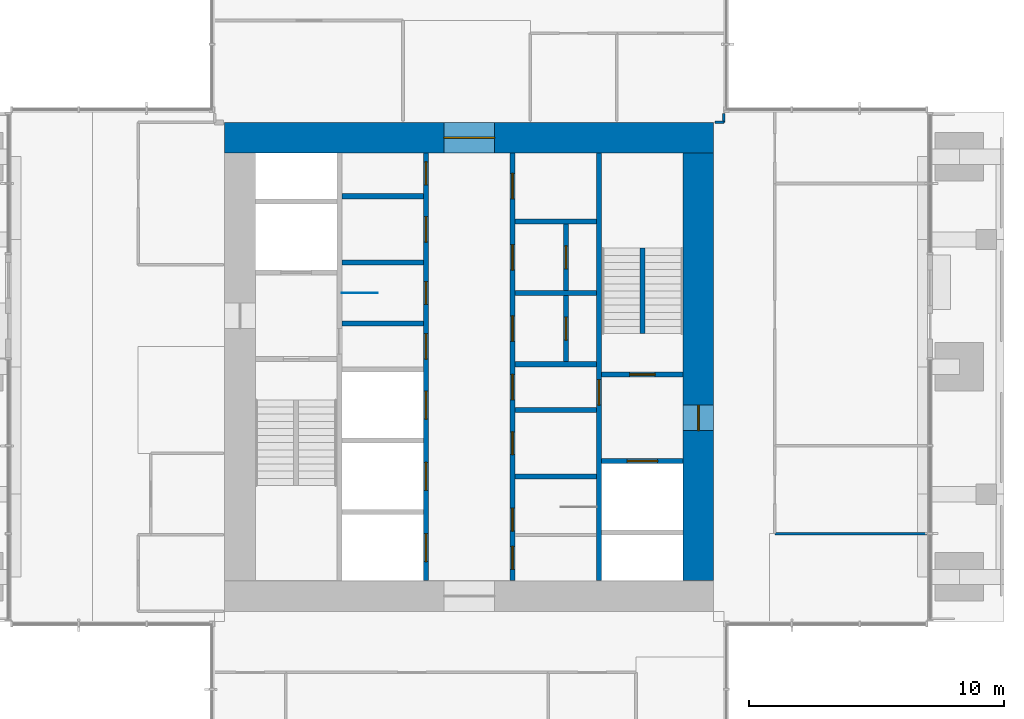
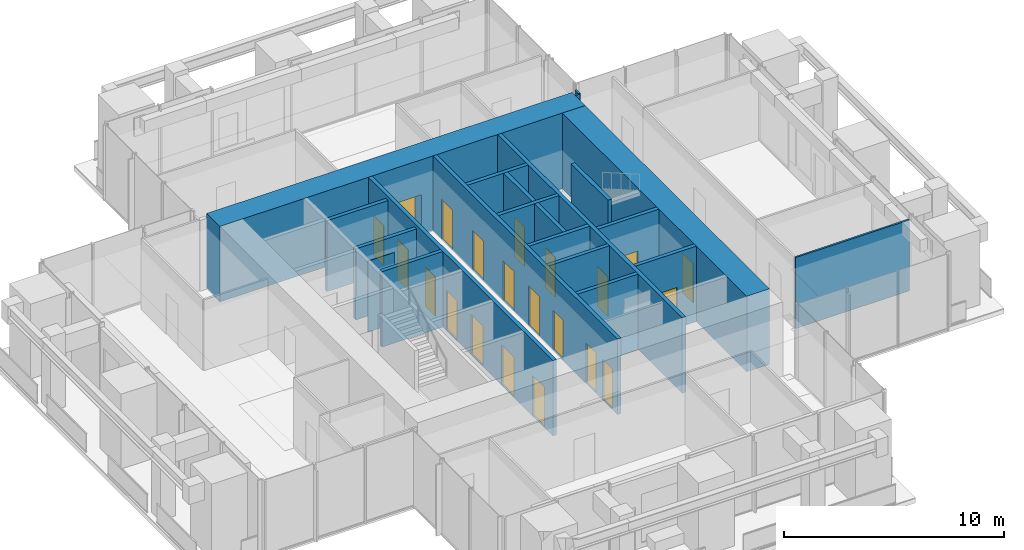
# One storey, part 8 of 12: 22 walls, 21 doors, 21 openings.
"""IFC4 building model written with IfcOpenShell, lengths in metres."""

from ifc_helpers import new_model, si_unit, direction, frame, frame_2d, origin, place, context, subcontext, project, spatial, rectangle, extrude, material, layer, layer_set, type_object, element, fill, save


model = new_model("IFC4")

# Units and contexts
model_context = context("Model", 3, precision=1e-05, world=origin(), true_north=direction((0.0, 1.0)))
body_context = subcontext(model_context, "Body", "Model", "MODEL_VIEW")
ifc_project = project(units=[si_unit("LENGTHUNIT", "METRE"), si_unit("AREAUNIT", "SQUARE_METRE"), si_unit("VOLUMEUNIT", "CUBIC_METRE"), si_unit("PLANEANGLEUNIT", "RADIAN"), si_unit("MASSUNIT", "GRAM", prefix="KILO")], contexts=[model_context])

# Site, building, storey
site_placement = place(None, origin())
site = spatial("IfcSite", under=ifc_project, at=site_placement, CompositionType="ELEMENT")
building_placement = place(site_placement, origin())
building = spatial("IfcBuilding", under=site, at=building_placement, Name="Svetlomir Tower", CompositionType="ELEMENT")
storey_placement = place(building_placement, frame((0.0, 0.0, 248.199951171875)))
storey = spatial("IfcBuildingStorey", under=building, at=storey_placement, Name="L59", CompositionType="ELEMENT", Elevation=248.199951171875)

# Walls
ifc_material_1 = material(Name="Gypsum board on twin steel studs", Category="steel")
ifc_layer_1 = layer(ifc_material_1, 0.199951171875)
ifc_layer_set_1 = layer_set([ifc_layer_1], Name="Gypsum board on twin steel studs")
wall_type_1 = type_object("IfcWallType", Name="ACOUSTIC PARTITION 200", PredefinedType="PARTITIONING", material=ifc_layer_set_1)
for number, where, z_axis, x_axis, name in (
    (1, (16.0, 25.10009765625, 0.0), (0.0, 0.0, 1.0), (1.0, 0.0, 0.0), "Core cell partition 16-19.2/25.1 L59"),
    (2, (16.0, 27.699951171875, 0.0), (0.0, 0.0, 1.0), (1.0, 0.0, 0.0), "Core cell partition 16-19.2/27.7 L59"),
):
    element("IfcWall", number, at=place(storey_placement, frame(where, z_axis=z_axis, x_axis=x_axis)), inside=storey, type_object=wall_type_1, Name=name, PredefinedType="PARTITIONING", context=body_context, shape_type="SweptSolid", body=[
        extrude(rectangle(XDim=3.199951171875, YDim=0.199951171875, at=frame_2d((1.60009765625, 0.0))), origin(), (0.0, 0.0, 1.0), 3.949951171875),
    ])

# Wall, openings, doors
ifc_material_2 = material(Name="Concrete C60/75", Category="concrete")
ifc_layer_2 = layer(ifc_material_2, 0.199951171875)
ifc_layer_set_2 = layer_set([ifc_layer_2], Name="Concrete C60/75")
wall_type_2 = type_object("IfcWallType", Name="CORE INNER WALL 200", PredefinedType="SHEAR", material=ifc_layer_set_2)
wall_1_placement = place(storey_placement, frame((19.300048828125, 12.60009765625, -0.050048828125), z_axis=(0.0, 0.0, 1.0), x_axis=(0.0, 1.0, 0.0)))
wall_1 = element("IfcWall", 3, at=wall_1_placement, inside=storey, type_object=wall_type_2, Name="Core inner wall 19.3 L59", PredefinedType="SHEAR", context=body_context, shape_type="SweptSolid", body=[
    extrude(rectangle(XDim=16.7998046875, YDim=0.199951171875, at=frame_2d((8.39990234375, 0.0))), origin(), (0.0, 0.0, 1.0), 4.2001953125),
])
opening_1_placement = place(wall_1_placement, frame((8.699951171875, 0.0, 0.050048828125)))
opening_1 = element("IfcOpeningElement", 4, at=opening_1_placement, cuts=wall_1, Name="Opening DC", PredefinedType="OPENING", context=body_context, shape_type="SweptSolid", body=[
    extrude(rectangle(XDim=1.0, YDim=2.199951171875, at=frame_2d((0.5, 1.10009765625))), frame((0.0, 0.10986328125, 0.0), z_axis=(0.0, -1.0, 0.0), x_axis=(1.0, 0.0, 0.0)), (0.0, 0.0, 1.0), 0.219970703125),
])
opening_2_placement = place(wall_1_placement, frame((10.85009765625, 0.0, 0.050048828125)))
opening_2 = element("IfcOpeningElement", 5, at=opening_2_placement, cuts=wall_1, Name="Opening DW", PredefinedType="OPENING", context=body_context, shape_type="SweptSolid", body=[
    extrude(rectangle(XDim=0.89990234375, YDim=2.199951171875, at=frame_2d((0.449951171875, 1.10009765625))), frame((0.0, 0.10986328125, 0.0), z_axis=(0.0, -1.0, 0.0), x_axis=(1.0, 0.0, 0.0)), (0.0, 0.0, 1.0), 0.219970703125),
])
opening_3_placement = place(wall_1_placement, frame((13.300048828125, 0.0, 0.050048828125)))
opening_3 = element("IfcOpeningElement", 6, at=opening_3_placement, cuts=wall_1, Name="Opening DC", PredefinedType="OPENING", context=body_context, shape_type="SweptSolid", body=[
    extrude(rectangle(XDim=1.0, YDim=2.199951171875, at=frame_2d((0.5, 1.10009765625))), frame((0.0, 0.10986328125, 0.0), z_axis=(0.0, -1.0, 0.0), x_axis=(1.0, 0.0, 0.0)), (0.0, 0.0, 1.0), 0.219970703125),
])
opening_4_placement = place(wall_1_placement, frame((15.550048828125, 0.0, 0.050048828125)))
opening_4 = element("IfcOpeningElement", 7, at=opening_4_placement, cuts=wall_1, Name="Opening DW", PredefinedType="OPENING", context=body_context, shape_type="SweptSolid", body=[
    extrude(rectangle(XDim=0.89990234375, YDim=2.199951171875, at=frame_2d((0.449951171875, 1.10009765625))), frame((0.0, 0.10986328125, 0.0), z_axis=(0.0, -1.0, 0.0), x_axis=(1.0, 0.0, 0.0)), (0.0, 0.0, 1.0), 0.219970703125),
])
opening_5_placement = place(wall_1_placement, frame((0.75, 0.0, 0.050048828125)))
opening_5 = element("IfcOpeningElement", 8, at=opening_5_placement, cuts=wall_1, Name="Opening LD", PredefinedType="OPENING", context=body_context, shape_type="SweptSolid", body=[
    extrude(rectangle(XDim=1.10009765625, YDim=2.199951171875, at=frame_2d((0.550048828125, 1.10009765625))), frame((0.0, 0.10986328125, 0.0), z_axis=(0.0, -1.0, 0.0), x_axis=(1.0, 0.0, 0.0)), (0.0, 0.0, 1.0), 0.219970703125),
])
opening_6_placement = place(wall_1_placement, frame((3.550048828125, 0.0, 0.050048828125)))
opening_6 = element("IfcOpeningElement", 9, at=opening_6_placement, cuts=wall_1, Name="Opening LD", PredefinedType="OPENING", context=body_context, shape_type="SweptSolid", body=[
    extrude(rectangle(XDim=1.10009765625, YDim=2.199951171875, at=frame_2d((0.550048828125, 1.10009765625))), frame((0.0, 0.10986328125, 0.0), z_axis=(0.0, -1.0, 0.0), x_axis=(1.0, 0.0, 0.0)), (0.0, 0.0, 1.0), 0.219970703125),
])
opening_7_placement = place(wall_1_placement, frame((6.35009765625, 0.0, 0.050048828125)))
opening_7 = element("IfcOpeningElement", 10, at=opening_7_placement, cuts=wall_1, Name="Opening LD", PredefinedType="OPENING", context=body_context, shape_type="SweptSolid", body=[
    extrude(rectangle(XDim=1.10009765625, YDim=2.199951171875, at=frame_2d((0.550048828125, 1.10009765625))), frame((0.0, 0.10986328125, 0.0), z_axis=(0.0, -1.0, 0.0), x_axis=(1.0, 0.0, 0.0)), (0.0, 0.0, 1.0), 0.219970703125),
])
ifc_material_3 = material(Name="Timber fire door", Category="wood")
door_type_1 = type_object("IfcDoorType", Name="DOOR DC 1000x2200", OperationType="SINGLE_SWING_LEFT", PredefinedType="DOOR", material=ifc_material_3)
door_1_placement = place(opening_1_placement, origin())
door_1 = element("IfcDoor", 11, at=door_1_placement, inside=storey, type_object=door_type_1, Name="Core corridor west lobby door L59", OperationType="SINGLE_SWING_RIGHT", OverallHeight=2.199951171875, OverallWidth=1.0, PredefinedType="DOOR", context=body_context, shape_type="SweptSolid", body=[
    extrude(rectangle(XDim=1.0, YDim=2.199951171875, at=frame_2d((0.5, 1.10009765625))), frame((0.0, 0.02490234375, 0.0), z_axis=(0.0, -1.0, 0.0), x_axis=(1.0, 0.0, 0.0)), (0.0, 0.0, 1.0), 0.050048828125),
])
fill(opening_1, door_1)
door_2_placement = place(opening_3_placement, origin())
door_2 = element("IfcDoor", 12, at=door_2_placement, inside=storey, type_object=door_type_1, Name="Accessible WC door L59", OperationType="SINGLE_SWING_LEFT", OverallHeight=2.199951171875, OverallWidth=1.0, PredefinedType="DOOR", context=body_context, shape_type="SweptSolid", body=[
    extrude(rectangle(XDim=1.0, YDim=2.199951171875, at=frame_2d((0.5, 1.10009765625))), frame((0.0, 0.02490234375, 0.0), z_axis=(0.0, -1.0, 0.0), x_axis=(1.0, 0.0, 0.0)), (0.0, 0.0, 1.0), 0.050048828125),
])
fill(opening_3, door_2)
ifc_material_4 = material(Name="Timber fire door", Category="wood")
door_type_2 = type_object("IfcDoorType", Name="DOOR DW 900x2200", OperationType="SINGLE_SWING_LEFT", PredefinedType="DOOR", material=ifc_material_4)
door_3_placement = place(opening_2_placement, origin())
door_3 = element("IfcDoor", 13, at=door_3_placement, inside=storey, type_object=door_type_2, Name="Female WC door L59", OperationType="SINGLE_SWING_RIGHT", OverallHeight=2.199951171875, OverallWidth=0.89990234375, PredefinedType="DOOR", context=body_context, shape_type="SweptSolid", body=[
    extrude(rectangle(XDim=0.89990234375, YDim=2.199951171875, at=frame_2d((0.449951171875, 1.10009765625))), frame((0.0, 0.02490234375, 0.0), z_axis=(0.0, -1.0, 0.0), x_axis=(1.0, 0.0, 0.0)), (0.0, 0.0, 1.0), 0.050048828125),
])
fill(opening_2, door_3)
door_4_placement = place(opening_4_placement, origin())
door_4 = element("IfcDoor", 14, at=door_4_placement, inside=storey, type_object=door_type_2, Name="IT floor distributor room door L59", OperationType="SINGLE_SWING_RIGHT", OverallHeight=2.199951171875, OverallWidth=0.89990234375, PredefinedType="DOOR", context=body_context, shape_type="SweptSolid", body=[
    extrude(rectangle(XDim=0.89990234375, YDim=2.199951171875, at=frame_2d((0.449951171875, 1.10009765625))), frame((0.0, 0.02490234375, 0.0), z_axis=(0.0, -1.0, 0.0), x_axis=(1.0, 0.0, 0.0)), (0.0, 0.0, 1.0), 0.050048828125),
])
fill(opening_4, door_4)
ifc_material_5 = material(Name="Stainless steel landing door", Category="steel")
door_type_3 = type_object("IfcDoorType", Name="LIFT LANDING DOOR LD 1100x2200", OperationType="DOUBLE_DOOR_SLIDING", PredefinedType="DOOR", material=ifc_material_5)
door_5_placement = place(opening_5_placement, origin())
door_5 = element("IfcDoor", 15, at=door_5_placement, inside=storey, type_object=door_type_3, Name="Landing door lift LD1 L59", OperationType="DOUBLE_DOOR_SLIDING", OverallHeight=2.199951171875, OverallWidth=1.10009765625, PredefinedType="DOOR", context=body_context, shape_type="SweptSolid", body=[
    extrude(rectangle(XDim=1.10009765625, YDim=2.199951171875, at=frame_2d((0.550048828125, 1.10009765625))), frame((0.0, 0.02490234375, 0.0), z_axis=(0.0, -1.0, 0.0), x_axis=(1.0, 0.0, 0.0)), (0.0, 0.0, 1.0), 0.050048828125),
])
fill(opening_5, door_5)
door_6_placement = place(opening_6_placement, origin())
door_6 = element("IfcDoor", 16, at=door_6_placement, inside=storey, type_object=door_type_3, Name="Landing door lift LD2 L59", OperationType="DOUBLE_DOOR_SLIDING", OverallHeight=2.199951171875, OverallWidth=1.10009765625, PredefinedType="DOOR", context=body_context, shape_type="SweptSolid", body=[
    extrude(rectangle(XDim=1.10009765625, YDim=2.199951171875, at=frame_2d((0.550048828125, 1.10009765625))), frame((0.0, 0.02490234375, 0.0), z_axis=(0.0, -1.0, 0.0), x_axis=(1.0, 0.0, 0.0)), (0.0, 0.0, 1.0), 0.050048828125),
])
fill(opening_6, door_6)
door_7_placement = place(opening_7_placement, origin())
door_7 = element("IfcDoor", 17, at=door_7_placement, inside=storey, type_object=door_type_3, Name="Landing door lift LD3 L59", OperationType="DOUBLE_DOOR_SLIDING", OverallHeight=2.199951171875, OverallWidth=1.10009765625, PredefinedType="DOOR", context=body_context, shape_type="SweptSolid", body=[
    extrude(rectangle(XDim=1.10009765625, YDim=2.199951171875, at=frame_2d((0.550048828125, 1.10009765625))), frame((0.0, 0.02490234375, 0.0), z_axis=(0.0, -1.0, 0.0), x_axis=(1.0, 0.0, 0.0)), (0.0, 0.0, 1.0), 0.050048828125),
])
fill(opening_7, door_7)

wall_2_placement = place(storey_placement, frame((22.699951171875, 12.60009765625, -0.050048828125), z_axis=(0.0, 0.0, 1.0), x_axis=(0.0, 1.0, 0.0)))
wall_2 = element("IfcWall", 18, at=wall_2_placement, inside=storey, type_object=wall_type_2, Name="Core inner wall 22.7 L59", PredefinedType="SHEAR", context=body_context, shape_type="SweptSolid", body=[
    extrude(rectangle(XDim=16.7998046875, YDim=0.199951171875, at=frame_2d((8.39990234375, 0.0))), origin(), (0.0, 0.0, 1.0), 4.2001953125),
])
opening_8_placement = place(wall_2_placement, frame((0.449951171875, 0.0, 0.050048828125)))
opening_8 = element("IfcOpeningElement", 19, at=opening_8_placement, cuts=wall_2, Name="Opening DW", PredefinedType="OPENING", context=body_context, shape_type="SweptSolid", body=[
    extrude(rectangle(XDim=0.89990234375, YDim=2.199951171875, at=frame_2d((0.449951171875, 1.10009765625))), frame((0.0, 0.10986328125, 0.0), z_axis=(0.0, -1.0, 0.0), x_axis=(1.0, 0.0, 0.0)), (0.0, 0.0, 1.0), 0.219970703125),
])
opening_9_placement = place(wall_2_placement, frame((7.10009765625, 0.0, 0.050048828125)))
opening_9 = element("IfcOpeningElement", 20, at=opening_9_placement, cuts=wall_2, Name="Opening DC", PredefinedType="OPENING", context=body_context, shape_type="SweptSolid", body=[
    extrude(rectangle(XDim=1.0, YDim=2.199951171875, at=frame_2d((0.5, 1.10009765625))), frame((0.0, 0.10986328125, 0.0), z_axis=(0.0, -1.0, 0.0), x_axis=(1.0, 0.0, 0.0)), (0.0, 0.0, 1.0), 0.219970703125),
])
opening_10_placement = place(wall_2_placement, frame((1.949951171875, 0.0, 0.050048828125)))
opening_10 = element("IfcOpeningElement", 21, at=opening_10_placement, cuts=wall_2, Name="Opening DW", PredefinedType="OPENING", context=body_context, shape_type="SweptSolid", body=[
    extrude(rectangle(XDim=0.89990234375, YDim=2.199951171875, at=frame_2d((0.449951171875, 1.10009765625))), frame((0.0, 0.10986328125, 0.0), z_axis=(0.0, -1.0, 0.0), x_axis=(1.0, 0.0, 0.0)), (0.0, 0.0, 1.0), 0.219970703125),
])
opening_11_placement = place(wall_2_placement, frame((4.949951171875, 0.0, 0.050048828125)))
opening_11 = element("IfcOpeningElement", 22, at=opening_11_placement, cuts=wall_2, Name="Opening DW", PredefinedType="OPENING", context=body_context, shape_type="SweptSolid", body=[
    extrude(rectangle(XDim=0.89990234375, YDim=2.199951171875, at=frame_2d((0.449951171875, 1.10009765625))), frame((0.0, 0.10986328125, 0.0), z_axis=(0.0, -1.0, 0.0), x_axis=(1.0, 0.0, 0.0)), (0.0, 0.0, 1.0), 0.219970703125),
])
opening_12_placement = place(wall_2_placement, frame((9.39990234375, 0.0, 0.050048828125)))
opening_12 = element("IfcOpeningElement", 23, at=opening_12_placement, cuts=wall_2, Name="Opening DC", PredefinedType="OPENING", context=body_context, shape_type="SweptSolid", body=[
    extrude(rectangle(XDim=1.0, YDim=2.199951171875, at=frame_2d((0.5, 1.10009765625))), frame((0.0, 0.10986328125, 0.0), z_axis=(0.0, -1.0, 0.0), x_axis=(1.0, 0.0, 0.0)), (0.0, 0.0, 1.0), 0.219970703125),
])
opening_13_placement = place(wall_2_placement, frame((12.199951171875, 0.0, 0.050048828125)))
opening_13 = element("IfcOpeningElement", 24, at=opening_13_placement, cuts=wall_2, Name="Opening DC", PredefinedType="OPENING", context=body_context, shape_type="SweptSolid", body=[
    extrude(rectangle(XDim=1.0, YDim=2.199951171875, at=frame_2d((0.5, 1.10009765625))), frame((0.0, 0.10986328125, 0.0), z_axis=(0.0, -1.0, 0.0), x_axis=(1.0, 0.0, 0.0)), (0.0, 0.0, 1.0), 0.219970703125),
])
opening_14_placement = place(wall_2_placement, frame((15.0, 0.0, 0.050048828125)))
opening_14 = element("IfcOpeningElement", 25, at=opening_14_placement, cuts=wall_2, Name="Opening DC", PredefinedType="OPENING", context=body_context, shape_type="SweptSolid", body=[
    extrude(rectangle(XDim=1.0, YDim=2.199951171875, at=frame_2d((0.5, 1.10009765625))), frame((0.0, 0.10986328125, 0.0), z_axis=(0.0, -1.0, 0.0), x_axis=(1.0, 0.0, 0.0)), (0.0, 0.0, 1.0), 0.219970703125),
])
door_8_placement = place(opening_9_placement, origin())
door_8 = element("IfcDoor", 26, at=door_8_placement, inside=storey, type_object=door_type_1, Name="Core corridor east lobby door L59", OperationType="SINGLE_SWING_LEFT", OverallHeight=2.199951171875, OverallWidth=1.0, PredefinedType="DOOR", context=body_context, shape_type="SweptSolid", body=[
    extrude(rectangle(XDim=1.0, YDim=2.199951171875, at=frame_2d((0.5, 1.10009765625))), frame((0.0, 0.02490234375, 0.0), z_axis=(0.0, -1.0, 0.0), x_axis=(1.0, 0.0, 0.0)), (0.0, 0.0, 1.0), 0.050048828125),
])
fill(opening_9, door_8)
door_9_placement = place(opening_12_placement, origin())
door_9 = element("IfcDoor", 27, at=door_9_placement, inside=storey, type_object=door_type_1, Name="Converted shaft BANK-E1 room door L59", OperationType="SINGLE_SWING_LEFT", OverallHeight=2.199951171875, OverallWidth=1.0, PredefinedType="DOOR", context=body_context, shape_type="SweptSolid", body=[
    extrude(rectangle(XDim=1.0, YDim=2.199951171875, at=frame_2d((0.5, 1.10009765625))), frame((0.0, 0.02490234375, 0.0), z_axis=(0.0, -1.0, 0.0), x_axis=(1.0, 0.0, 0.0)), (0.0, 0.0, 1.0), 0.050048828125),
])
fill(opening_12, door_9)
door_10_placement = place(opening_13_placement, origin())
door_10 = element("IfcDoor", 28, at=door_10_placement, inside=storey, type_object=door_type_1, Name="Converted shaft BANK-E2 room door L59", OperationType="SINGLE_SWING_LEFT", OverallHeight=2.199951171875, OverallWidth=1.0, PredefinedType="DOOR", context=body_context, shape_type="SweptSolid", body=[
    extrude(rectangle(XDim=1.0, YDim=2.199951171875, at=frame_2d((0.5, 1.10009765625))), frame((0.0, 0.02490234375, 0.0), z_axis=(0.0, -1.0, 0.0), x_axis=(1.0, 0.0, 0.0)), (0.0, 0.0, 1.0), 0.050048828125),
])
fill(opening_13, door_10)
door_11_placement = place(opening_14_placement, origin())
door_11 = element("IfcDoor", 29, at=door_11_placement, inside=storey, type_object=door_type_1, Name="Converted shaft BANK-E3 room door L59", OperationType="SINGLE_SWING_LEFT", OverallHeight=2.199951171875, OverallWidth=1.0, PredefinedType="DOOR", context=body_context, shape_type="SweptSolid", body=[
    extrude(rectangle(XDim=1.0, YDim=2.199951171875, at=frame_2d((0.5, 1.10009765625))), frame((0.0, 0.02490234375, 0.0), z_axis=(0.0, -1.0, 0.0), x_axis=(1.0, 0.0, 0.0)), (0.0, 0.0, 1.0), 0.050048828125),
])
fill(opening_14, door_11)
door_12_placement = place(opening_8_placement, origin())
door_12 = element("IfcDoor", 30, at=door_12_placement, inside=storey, type_object=door_type_2, Name="Floor store door L59", OperationType="SINGLE_SWING_LEFT", OverallHeight=2.199951171875, OverallWidth=0.89990234375, PredefinedType="DOOR", context=body_context, shape_type="SweptSolid", body=[
    extrude(rectangle(XDim=0.89990234375, YDim=2.199951171875, at=frame_2d((0.449951171875, 1.10009765625))), frame((0.0, 0.02490234375, 0.0), z_axis=(0.0, -1.0, 0.0), x_axis=(1.0, 0.0, 0.0)), (0.0, 0.0, 1.0), 0.050048828125),
])
fill(opening_8, door_12)
door_13_placement = place(opening_10_placement, origin())
door_13 = element("IfcDoor", 31, at=door_13_placement, inside=storey, type_object=door_type_2, Name="Male WC door L59", OperationType="SINGLE_SWING_LEFT", OverallHeight=2.199951171875, OverallWidth=0.89990234375, PredefinedType="DOOR", context=body_context, shape_type="SweptSolid", body=[
    extrude(rectangle(XDim=0.89990234375, YDim=2.199951171875, at=frame_2d((0.449951171875, 1.10009765625))), frame((0.0, 0.02490234375, 0.0), z_axis=(0.0, -1.0, 0.0), x_axis=(1.0, 0.0, 0.0)), (0.0, 0.0, 1.0), 0.050048828125),
])
fill(opening_10, door_13)
door_14_placement = place(opening_11_placement, origin())
door_14 = element("IfcDoor", 32, at=door_14_placement, inside=storey, type_object=door_type_2, Name="Comms room door L59", OperationType="SINGLE_SWING_RIGHT", OverallHeight=2.199951171875, OverallWidth=0.89990234375, PredefinedType="DOOR", context=body_context, shape_type="SweptSolid", body=[
    extrude(rectangle(XDim=0.89990234375, YDim=2.199951171875, at=frame_2d((0.449951171875, 1.10009765625))), frame((0.0, 0.02490234375, 0.0), z_axis=(0.0, -1.0, 0.0), x_axis=(1.0, 0.0, 0.0)), (0.0, 0.0, 1.0), 0.050048828125),
])
fill(opening_11, door_14)

# Wall, opening, door
wall_3_placement = place(storey_placement, frame((26.10009765625, 12.60009765625, -0.050048828125), z_axis=(0.0, 0.0, 1.0), x_axis=(0.0, 1.0, 0.0)))
wall_3 = element("IfcWall", 33, at=wall_3_placement, inside=storey, type_object=wall_type_2, Name="Core inner wall 26.1 L59", PredefinedType="SHEAR", context=body_context, shape_type="SweptSolid", body=[
    extrude(rectangle(XDim=16.7998046875, YDim=0.199951171875, at=frame_2d((8.39990234375, 0.0))), origin(), (0.0, 0.0, 1.0), 4.2001953125),
])
opening_15_placement = place(wall_3_placement, frame((6.89990234375, 0.0, 0.050048828125)))
opening_15 = element("IfcOpeningElement", 34, at=opening_15_placement, cuts=wall_3, Name="Opening DF", PredefinedType="OPENING", context=body_context, shape_type="SweptSolid", body=[
    extrude(rectangle(XDim=1.0, YDim=2.199951171875, at=frame_2d((0.5, 1.10009765625))), frame((0.0, 0.10986328125, 0.0), z_axis=(0.0, -1.0, 0.0), x_axis=(1.0, 0.0, 0.0)), (0.0, 0.0, 1.0), 0.219970703125),
])
ifc_material_6 = material(Name="Steel fire door", Category="steel")
door_type_4 = type_object("IfcDoorType", Name="DOOR DF 1000x2200", OperationType="SINGLE_SWING_LEFT", PredefinedType="DOOR", material=ifc_material_6)
door_15_placement = place(opening_15_placement, origin())
door_15 = element("IfcDoor", 35, at=door_15_placement, inside=storey, type_object=door_type_4, Name="Core corridor east door L59", OperationType="SINGLE_SWING_LEFT", OverallHeight=2.199951171875, OverallWidth=1.0, PredefinedType="DOOR", context=body_context, shape_type="SweptSolid", body=[
    extrude(rectangle(XDim=1.0, YDim=2.199951171875, at=frame_2d((0.5, 1.10009765625))), frame((0.0, 0.02490234375, 0.0), z_axis=(0.0, -1.0, 0.0), x_axis=(1.0, 0.0, 0.0)), (0.0, 0.0, 1.0), 0.050048828125),
])
fill(opening_15, door_15)

# Walls
for number, where, z_axis, x_axis, name in (
    (36, (16.0, 22.699951171875, -0.050048828125), (0.0, 0.0, 1.0), (1.0, 0.0, 0.0), "Core inner wall 16-19.2/22.7 L59"),
    (37, (22.800048828125, 16.699951171875, -0.050048828125), (0.0, 0.0, 1.0), (1.0, 0.0, 0.0), "Core inner wall 22.8-26/16.7 L59"),
    (38, (22.800048828125, 19.300048828125, -0.050048828125), (0.0, 0.0, 1.0), (1.0, 0.0, 0.0), "Core inner wall 22.8-26/19.3 L59"),
    (39, (22.800048828125, 21.10009765625, -0.050048828125), (0.0, 0.0, 1.0), (1.0, 0.0, 0.0), "Core inner wall 22.8-26/21.1 L59"),
    (40, (22.800048828125, 23.89990234375, -0.050048828125), (0.0, 0.0, 1.0), (1.0, 0.0, 0.0), "Core inner wall 22.8-26/23.9 L59"),
    (41, (22.800048828125, 26.699951171875, -0.050048828125), (0.0, 0.0, 1.0), (1.0, 0.0, 0.0), "Core inner wall 22.8-26/26.7 L59"),
):
    element("IfcWall", number, at=place(storey_placement, frame(where, z_axis=z_axis, x_axis=x_axis)), inside=storey, type_object=wall_type_2, Name=name, PredefinedType="SHEAR", context=body_context, shape_type="SweptSolid", body=[
        extrude(rectangle(XDim=3.199951171875, YDim=0.199951171875, at=frame_2d((1.60009765625, 0.0))), origin(), (0.0, 0.0, 1.0), 4.2001953125),
    ])

# Wall, opening, door
wall_4_placement = place(storey_placement, frame((26.199951171875, 17.300048828125, -0.050048828125), z_axis=(0.0, 0.0, 1.0), x_axis=(1.0, 0.0, 0.0)))
wall_4 = element("IfcWall", 42, at=wall_4_placement, inside=storey, type_object=wall_type_2, Name="Core inner wall 26.2-29.4/17.3 L59", PredefinedType="SHEAR", context=body_context, shape_type="SweptSolid", body=[
    extrude(rectangle(XDim=3.199951171875, YDim=0.199951171875, at=frame_2d((1.60009765625, 0.0))), origin(), (0.0, 0.0, 1.0), 4.2001953125),
])
opening_16_placement = place(wall_4_placement, frame((1.0, 0.0, 0.050048828125)))
opening_16 = element("IfcOpeningElement", 43, at=opening_16_placement, cuts=wall_4, Name="Opening LD3", PredefinedType="OPENING", context=body_context, shape_type="SweptSolid", body=[
    extrude(rectangle(XDim=1.199951171875, YDim=2.199951171875, at=frame_2d((0.60009765625, 1.10009765625))), frame((0.0, 0.10986328125, 0.0), z_axis=(0.0, -1.0, 0.0), x_axis=(1.0, 0.0, 0.0)), (0.0, 0.0, 1.0), 0.219970703125),
])
ifc_material_7 = material(Name="Stainless steel fire-rated landing door", Category="steel")
door_type_5 = type_object("IfcDoorType", Name="FIREFIGHTING LIFT LANDING DOOR LD3 1200x2200", OperationType="DOUBLE_DOOR_SLIDING", PredefinedType="DOOR", material=ifc_material_7)
door_16_placement = place(opening_16_placement, origin())
door_16 = element("IfcDoor", 44, at=door_16_placement, inside=storey, type_object=door_type_5, Name="Landing door lift FL2 L59", OperationType="DOUBLE_DOOR_SLIDING", OverallHeight=2.199951171875, OverallWidth=1.199951171875, PredefinedType="DOOR", context=body_context, shape_type="SweptSolid", body=[
    extrude(rectangle(XDim=1.199951171875, YDim=2.199951171875, at=frame_2d((0.60009765625, 1.10009765625))), frame((0.0, 0.02490234375, 0.0), z_axis=(0.0, -1.0, 0.0), x_axis=(1.0, 0.0, 0.0)), (0.0, 0.0, 1.0), 0.050048828125),
])
fill(opening_16, door_16)

wall_5_placement = place(storey_placement, frame((26.199951171875, 20.699951171875, -0.050048828125), z_axis=(0.0, 0.0, 1.0), x_axis=(1.0, 0.0, 0.0)))
wall_5 = element("IfcWall", 45, at=wall_5_placement, inside=storey, type_object=wall_type_2, Name="Core inner wall 26.2-29.4/20.7 L59", PredefinedType="SHEAR", context=body_context, shape_type="SweptSolid", body=[
    extrude(rectangle(XDim=3.199951171875, YDim=0.199951171875, at=frame_2d((1.60009765625, 0.0))), origin(), (0.0, 0.0, 1.0), 4.2001953125),
])
opening_17_placement = place(wall_5_placement, frame((1.10009765625, 0.0, 0.050048828125)))
opening_17 = element("IfcOpeningElement", 46, at=opening_17_placement, cuts=wall_5, Name="Opening DF", PredefinedType="OPENING", context=body_context, shape_type="SweptSolid", body=[
    extrude(rectangle(XDim=1.0, YDim=2.199951171875, at=frame_2d((0.5, 1.10009765625))), frame((0.0, 0.10986328125, 0.0), z_axis=(0.0, -1.0, 0.0), x_axis=(1.0, 0.0, 0.0)), (0.0, 0.0, 1.0), 0.219970703125),
])
door_17_placement = place(opening_17_placement, origin())
door_17 = element("IfcDoor", 47, at=door_17_placement, inside=storey, type_object=door_type_4, Name="Stair S2 door L59", OperationType="SINGLE_SWING_LEFT", OverallHeight=2.199951171875, OverallWidth=1.0, PredefinedType="DOOR", context=body_context, shape_type="SweptSolid", body=[
    extrude(rectangle(XDim=1.0, YDim=2.199951171875, at=frame_2d((0.5, 1.10009765625))), frame((0.0, 0.02490234375, 0.0), z_axis=(0.0, -1.0, 0.0), x_axis=(1.0, 0.0, 0.0)), (0.0, 0.0, 1.0), 0.050048828125),
])
fill(opening_17, door_17)

wall_6_placement = place(storey_placement, frame((24.800048828125, 21.199951171875, -0.050048828125), z_axis=(0.0, 0.0, 1.0), x_axis=(0.0, 1.0, 0.0)))
wall_6 = element("IfcWall", 48, at=wall_6_placement, inside=storey, type_object=wall_type_2, Name="Core inner wall 24.8/21.2-23.8 L59", PredefinedType="SHEAR", context=body_context, shape_type="SweptSolid", body=[
    extrude(rectangle(XDim=2.60009765625, YDim=0.199951171875, at=frame_2d((1.300048828125, 0.0))), origin(), (0.0, 0.0, 1.0), 4.2001953125),
])
opening_18_placement = place(wall_6_placement, frame((0.85009765625, 0.0, 0.050048828125)))
opening_18 = element("IfcOpeningElement", 49, at=opening_18_placement, cuts=wall_6, Name="Opening DW", PredefinedType="OPENING", context=body_context, shape_type="SweptSolid", body=[
    extrude(rectangle(XDim=0.89990234375, YDim=2.199951171875, at=frame_2d((0.449951171875, 1.10009765625))), frame((0.0, 0.10986328125, 0.0), z_axis=(0.0, -1.0, 0.0), x_axis=(1.0, 0.0, 0.0)), (0.0, 0.0, 1.0), 0.219970703125),
])
door_18_placement = place(opening_18_placement, origin())
door_18 = element("IfcDoor", 50, at=door_18_placement, inside=storey, type_object=door_type_2, Name="Converted shaft BANK-E1 back room door L59", OperationType="SINGLE_SWING_RIGHT", OverallHeight=2.199951171875, OverallWidth=0.89990234375, PredefinedType="DOOR", context=body_context, shape_type="SweptSolid", body=[
    extrude(rectangle(XDim=0.89990234375, YDim=2.199951171875, at=frame_2d((0.449951171875, 1.10009765625))), frame((0.0, 0.02490234375, 0.0), z_axis=(0.0, -1.0, 0.0), x_axis=(1.0, 0.0, 0.0)), (0.0, 0.0, 1.0), 0.050048828125),
])
fill(opening_18, door_18)

wall_7_placement = place(storey_placement, frame((24.800048828125, 24.0, -0.050048828125), z_axis=(0.0, 0.0, 1.0), x_axis=(0.0, 1.0, 0.0)))
wall_7 = element("IfcWall", 51, at=wall_7_placement, inside=storey, type_object=wall_type_2, Name="Core inner wall 24.8/24-26.6 L59", PredefinedType="SHEAR", context=body_context, shape_type="SweptSolid", body=[
    extrude(rectangle(XDim=2.60009765625, YDim=0.199951171875, at=frame_2d((1.300048828125, 0.0))), origin(), (0.0, 0.0, 1.0), 4.2001953125),
])
opening_19_placement = place(wall_7_placement, frame((0.85009765625, 0.0, 0.050048828125)))
opening_19 = element("IfcOpeningElement", 52, at=opening_19_placement, cuts=wall_7, Name="Opening DW", PredefinedType="OPENING", context=body_context, shape_type="SweptSolid", body=[
    extrude(rectangle(XDim=0.89990234375, YDim=2.199951171875, at=frame_2d((0.449951171875, 1.10009765625))), frame((0.0, 0.10986328125, 0.0), z_axis=(0.0, -1.0, 0.0), x_axis=(1.0, 0.0, 0.0)), (0.0, 0.0, 1.0), 0.219970703125),
])
door_19_placement = place(opening_19_placement, origin())
door_19 = element("IfcDoor", 53, at=door_19_placement, inside=storey, type_object=door_type_2, Name="Converted shaft BANK-E2 back room door L59", OperationType="SINGLE_SWING_RIGHT", OverallHeight=2.199951171875, OverallWidth=0.89990234375, PredefinedType="DOOR", context=body_context, shape_type="SweptSolid", body=[
    extrude(rectangle(XDim=0.89990234375, YDim=2.199951171875, at=frame_2d((0.449951171875, 1.10009765625))), frame((0.0, 0.02490234375, 0.0), z_axis=(0.0, -1.0, 0.0), x_axis=(1.0, 0.0, 0.0)), (0.0, 0.0, 1.0), 0.050048828125),
])
fill(opening_19, door_19)

ifc_material_8 = material(Name="Concrete C60/75", Category="concrete")
ifc_layer_3 = layer(ifc_material_8, 1.199951171875)
ifc_layer_set_3 = layer_set([ifc_layer_3], Name="Concrete C60/75")
wall_type_3 = type_object("IfcWallType", Name="CORE WALL 1200", PredefinedType="SHEAR", material=ifc_layer_set_3)
wall_8_placement = place(storey_placement, frame((11.39990234375, 30.0, -0.050048828125), z_axis=(0.0, 0.0, 1.0), x_axis=(1.0, 0.0, 0.0)))
wall_8 = element("IfcWall", 54, at=wall_8_placement, inside=storey, type_object=wall_type_3, Name="Core wall north L59", PredefinedType="SHEAR", context=body_context, shape_type="SweptSolid", body=[
    extrude(rectangle(XDim=19.2001953125, YDim=1.199951171875, at=frame_2d((9.60009765625, 0.0))), origin(), (0.0, 0.0, 1.0), 4.2001953125),
])
opening_20_placement = place(wall_8_placement, frame((8.60009765625, 0.0, 0.050048828125)))
opening_20 = element("IfcOpeningElement", 55, at=opening_20_placement, cuts=wall_8, Name="Opening DL", PredefinedType="OPENING", context=body_context, shape_type="SweptSolid", body=[
    extrude(rectangle(XDim=2.0, YDim=2.199951171875, at=frame_2d((1.0, 1.10009765625))), frame((0.0, 0.60986328125, 0.0), z_axis=(0.0, -1.0, 0.0), x_axis=(1.0, 0.0, 0.0)), (0.0, 0.0, 1.0), 1.219970703125),
])
ifc_material_9 = material(Name="Steel fire door", Category="steel")
door_type_6 = type_object("IfcDoorType", Name="DOOR DL 2000x2200", OperationType="DOUBLE_DOOR_SINGLE_SWING", PredefinedType="DOOR", material=ifc_material_9)
door_20_placement = place(opening_20_placement, origin())
door_20 = element("IfcDoor", 56, at=door_20_placement, inside=storey, type_object=door_type_6, Name="Lift lobby north door L59", OperationType="DOUBLE_DOOR_SINGLE_SWING", OverallHeight=2.199951171875, OverallWidth=2.0, PredefinedType="DOOR", context=body_context, shape_type="SweptSolid", body=[
    extrude(rectangle(XDim=2.0, YDim=2.199951171875, at=frame_2d((1.0, 1.10009765625))), frame((0.0, 0.02490234375, 0.0), z_axis=(0.0, -1.0, 0.0), x_axis=(1.0, 0.0, 0.0)), (0.0, 0.0, 1.0), 0.050048828125),
])
fill(opening_20, door_20)

wall_9_placement = place(storey_placement, frame((30.0, 12.60009765625, -0.050048828125), z_axis=(0.0, 0.0, 1.0), x_axis=(0.0, 1.0, 0.0)))
wall_9 = element("IfcWall", 57, at=wall_9_placement, inside=storey, type_object=wall_type_3, Name="Core wall east L59", PredefinedType="SHEAR", context=body_context, shape_type="SweptSolid", body=[
    extrude(rectangle(XDim=16.7998046875, YDim=1.199951171875, at=frame_2d((8.39990234375, 0.0))), origin(), (0.0, 0.0, 1.0), 4.2001953125),
])
opening_21_placement = place(wall_9_placement, frame((5.89990234375, 0.0, 0.050048828125)))
opening_21 = element("IfcOpeningElement", 58, at=opening_21_placement, cuts=wall_9, Name="Opening DF", PredefinedType="OPENING", context=body_context, shape_type="SweptSolid", body=[
    extrude(rectangle(XDim=1.0, YDim=2.199951171875, at=frame_2d((0.5, 1.10009765625))), frame((0.0, 0.60986328125, 0.0), z_axis=(0.0, -1.0, 0.0), x_axis=(1.0, 0.0, 0.0)), (0.0, 0.0, 1.0), 1.219970703125),
])
door_21_placement = place(opening_21_placement, origin())
door_21 = element("IfcDoor", 59, at=door_21_placement, inside=storey, type_object=door_type_4, Name="Firefighting lobby east door L59", OperationType="SINGLE_SWING_LEFT", OverallHeight=2.199951171875, OverallWidth=1.0, PredefinedType="DOOR", context=body_context, shape_type="SweptSolid", body=[
    extrude(rectangle(XDim=1.0, YDim=2.199951171875, at=frame_2d((0.5, 1.10009765625))), frame((0.0, 0.02490234375, 0.0), z_axis=(0.0, -1.0, 0.0), x_axis=(1.0, 0.0, 0.0)), (0.0, 0.0, 1.0), 0.050048828125),
])
fill(opening_21, door_21)

# Walls
ifc_material_10 = material(Name="Framed laminated glass partition", Category="glass")
ifc_layer_4 = layer(ifc_material_10, 0.10009765625)
ifc_layer_set_4 = layer_set([ifc_layer_4], Name="Framed laminated glass partition")
wall_type_4 = type_object("IfcWallType", Name="GLAZED PARTITION 100", PredefinedType="PARTITIONING", material=ifc_layer_set_4)
wall_10_placement = place(storey_placement, frame((30.64990234375, 30.60009765625, 0.0), z_axis=(0.0, 0.0, 1.0), x_axis=(1.0, 0.0, 0.0)))
element("IfcWall", 60, at=wall_10_placement, inside=storey, type_object=wall_type_4, Name="Partition L59", PredefinedType="PARTITIONING", context=body_context, shape_type="SweptSolid", body=[
    extrude(rectangle(XDim=0.35009765625, YDim=0.10009765625, at=frame_2d((0.175048828125, 0.0))), origin(), (0.0, 0.0, 1.0), 3.949951171875),
])
wall_11_placement = place(storey_placement, frame((31.0, 30.60009765625, 0.0), z_axis=(0.0, 0.0, 1.0), x_axis=(0.0, 1.0, 0.0)))
element("IfcWall", 61, at=wall_11_placement, inside=storey, type_object=wall_type_4, Name="Partition L59", PredefinedType="PARTITIONING", context=body_context, shape_type="SweptSolid", body=[
    extrude(rectangle(XDim=0.349853515625, YDim=0.10009765625, at=frame_2d((0.1748046875, 0.0))), origin(), (0.0, 0.0, 1.0), 3.949951171875),
])
wall_12_placement = place(storey_placement, frame((33.0, 14.449951171875, 0.0), z_axis=(0.0, 0.0, 1.0), x_axis=(1.0, 0.0, 0.0)))
element("IfcWall", 62, at=wall_12_placement, inside=storey, type_object=wall_type_4, Name="Partition L59", PredefinedType="PARTITIONING", context=body_context, shape_type="SweptSolid", body=[
    extrude(rectangle(XDim=6.0, YDim=0.10009765625, at=frame_2d((3.0, 0.0))), origin(), (0.0, 0.0, 1.0), 3.949951171875),
])
ifc_material_11 = material(Name="Concrete C60/75", Category="concrete")
ifc_layer_5 = layer(ifc_material_11, 0.199951171875)
ifc_layer_set_5 = layer_set([ifc_layer_5], Name="Concrete C60/75")
wall_type_5 = type_object("IfcWallType", Name="STAIR SPINE WALL 200", PredefinedType="PARTITIONING", material=ifc_layer_set_5)
wall_13_placement = place(storey_placement, frame((27.800048828125, 22.300048828125, 0.0), z_axis=(0.0, 0.0, 1.0), x_axis=(0.0, 1.0, 0.0)))
element("IfcWall", 63, at=wall_13_placement, inside=storey, type_object=wall_type_5, Name="Stair S2 spine wall L59", PredefinedType="PARTITIONING", context=body_context, shape_type="SweptSolid", body=[
    extrude(rectangle(XDim=3.35986328125, YDim=0.199951171875, at=frame_2d((1.679931640625, 0.0))), origin(), (0.0, 0.0, 1.0), 4.199951171875),
])
ifc_material_12 = material(Name="Compact laminate panel", Category="plastic")
ifc_layer_6 = layer(ifc_material_12, 0.030029296875)
ifc_layer_set_6 = layer_set([ifc_layer_6], Name="Compact laminate panel")
wall_type_6 = type_object("IfcWallType", Name="WC CUBICLE PARTITION 30", PredefinedType="PARTITIONING", material=ifc_layer_set_6)
wall_14_placement = place(storey_placement, frame((16.0, 23.89990234375, 0.0), z_axis=(0.0, 0.0, 1.0), x_axis=(1.0, 0.0, 0.0)))
element("IfcWall", 64, at=wall_14_placement, inside=storey, type_object=wall_type_6, Name="WC cubicle partition L59", PredefinedType="PARTITIONING", context=body_context, shape_type="SweptSolid", body=[
    extrude(rectangle(XDim=1.39990234375, YDim=0.030029296875, at=frame_2d((0.699951171875, 0.0))), origin(), (0.0, 0.0, 1.0), 3.949951171875),
])

save(model, "model.ifc")
